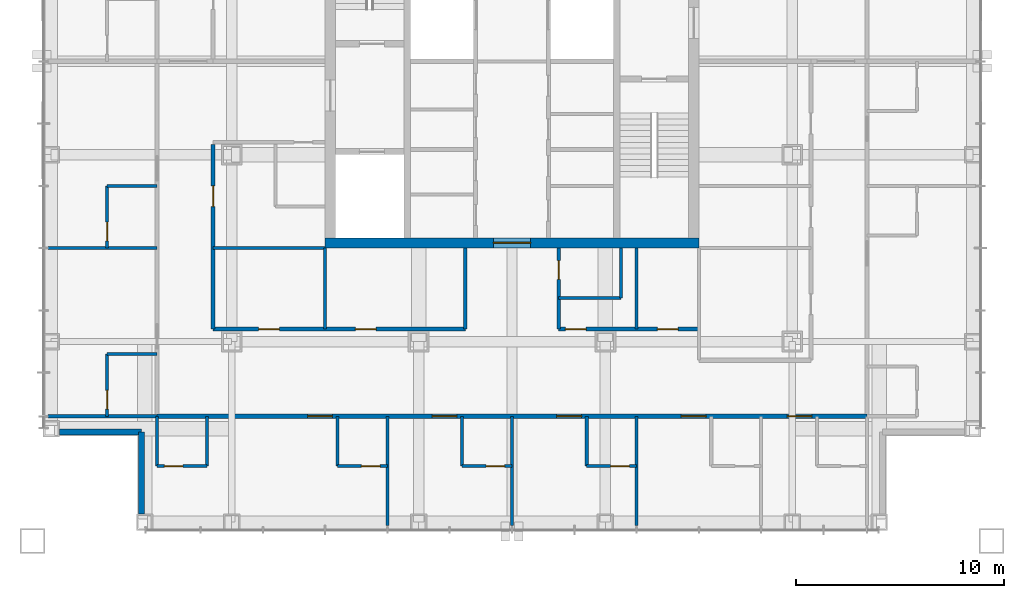
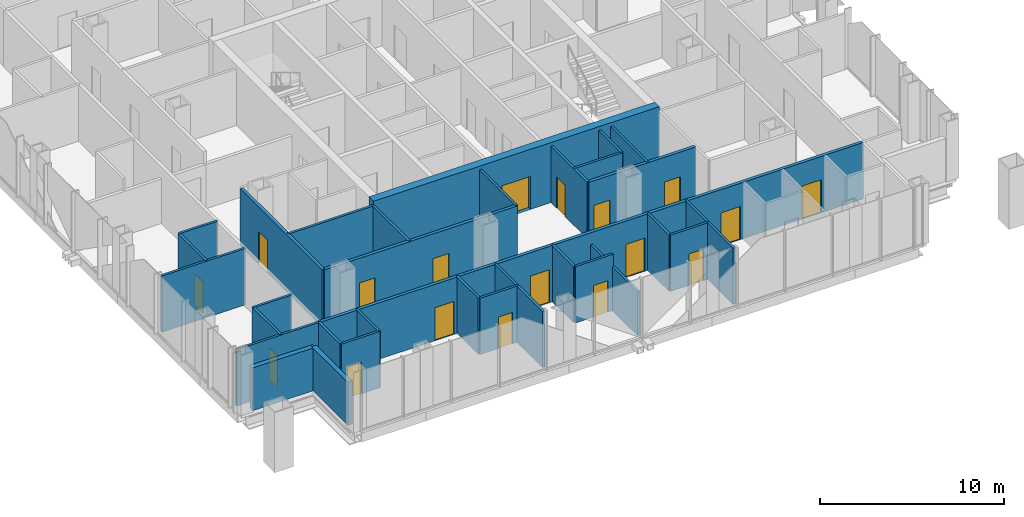
# One storey, part 12 of 17: 32 walls, 18 doors, 18 openings.
"""IFC4 building model written with IfcOpenShell, lengths in metres."""

from ifc_helpers import new_model, si_unit, direction, frame, frame_2d, origin, place, context, subcontext, project, spatial, rectangle, extrude, material, layer, layer_set, type_object, element, fill, save


model = new_model("IFC4")

# Units and contexts
model_context = context("Model", 3, precision=1e-05, world=origin(), true_north=direction((0.0, 1.0)))
body_context = subcontext(model_context, "Body", "Model", "MODEL_VIEW")
ifc_project = project(units=[si_unit("LENGTHUNIT", "METRE"), si_unit("AREAUNIT", "SQUARE_METRE"), si_unit("VOLUMEUNIT", "CUBIC_METRE"), si_unit("PLANEANGLEUNIT", "RADIAN"), si_unit("MASSUNIT", "GRAM", prefix="KILO")], contexts=[model_context])

# Site, building, storey
site_placement = place(None, origin())
site = spatial("IfcSite", under=ifc_project, at=site_placement, CompositionType="ELEMENT")
building_placement = place(site_placement, origin())
building = spatial("IfcBuilding", under=site, at=building_placement, Name="Malebo Sky Hospital", CompositionType="ELEMENT")
storey_placement = place(building_placement, frame((0.0, 0.0, 193.0)))
storey = spatial("IfcBuildingStorey", under=building, at=storey_placement, Name="L46", CompositionType="ELEMENT", Elevation=193.0)

# Wall, opening, door
ifc_material_1 = material(Name="Concrete C80/95", Category="concrete")
ifc_layer_1 = layer(ifc_material_1, 0.5)
ifc_layer_set_1 = layer_set([ifc_layer_1], Name="CORE WALL 500")
wall_type_1 = type_object("IfcWallType", Name="CORE WALL 500", PredefinedType="SHEAR", material=ifc_layer_set_1)
wall_1_placement = place(storey_placement, frame((51.0, 53.25, 0.0), z_axis=(0.0, 0.0, 1.0), x_axis=(1.0, 0.0, 0.0)))
wall_1 = element("IfcWall", 1, at=wall_1_placement, inside=storey, type_object=wall_type_1, Name="Core wall S L46", PredefinedType="SHEAR", context=body_context, shape_type="SweptSolid", body=[
    extrude(rectangle(XDim=18.0, YDim=0.5, at=frame_2d((9.0, 0.0))), origin(), (0.0, 0.0, 1.0), 4.0),
])
opening_1_placement = place(wall_1_placement, frame((8.10009765625, 0.0, 0.0)))
opening_1 = element("IfcOpeningElement", 2, at=opening_1_placement, cuts=wall_1, Name="Opening D06", PredefinedType="OPENING", context=body_context, shape_type="SweptSolid", body=[
    extrude(rectangle(XDim=1.800048828125, YDim=2.199951171875, at=frame_2d((0.89990234375, 1.10009765625))), frame((0.0, 0.260009765625, 0.0), z_axis=(0.0, -1.0, 0.0), x_axis=(1.0, 0.0, 0.0)), (0.0, 0.0, 1.0), 0.52001953125),
])
ifc_material_2 = material(Name="Hardwood-faced door leaf in steel frame", Category="steel")
door_type_1 = type_object("IfcDoorType", Name="LOBBY DOOR PAIR 1800", OperationType="DOUBLE_DOOR_SINGLE_SWING", PredefinedType="DOOR", material=ifc_material_2)
door_1_placement = place(opening_1_placement, origin())
door_1 = element("IfcDoor", 3, at=door_1_placement, inside=storey, type_object=door_type_1, Name="Service lobby door south", OperationType="DOUBLE_DOOR_SINGLE_SWING", OverallHeight=2.199951171875, OverallWidth=1.800048828125, PredefinedType="DOOR", context=body_context, shape_type="SweptSolid", body=[
    extrude(rectangle(XDim=1.800048828125, YDim=2.199951171875, at=frame_2d((0.89990234375, 1.10009765625))), frame((0.0, 0.02490234375, 0.0), z_axis=(0.0, -1.0, 0.0), x_axis=(1.0, 0.0, 0.0)), (0.0, 0.0, 1.0), 0.050048828125),
])
fill(opening_1, door_1)

ifc_material_3 = material(Name="Gypsum board on steel studs", Category="steel")
ifc_layer_2 = layer(ifc_material_3, 0.199951171875)
ifc_layer_set_2 = layer_set([ifc_layer_2], Name="CORRIDOR WALL 200")
wall_type_2 = type_object("IfcWallType", Name="CORRIDOR WALL 200", PredefinedType="PARTITIONING", material=ifc_layer_set_2)
wall_2_placement = place(storey_placement, frame((45.60009765625, 49.10009765625, 0.0), z_axis=(0.0, 0.0, 1.0), x_axis=(0.0, 1.0, 0.0)))
wall_2 = element("IfcWall", 4, at=wall_2_placement, inside=storey, type_object=wall_type_2, Name="Corridor Wall 200 WCI1", PredefinedType="PARTITIONING", context=body_context, shape_type="SweptSolid", body=[
    extrude(rectangle(XDim=8.89990234375, YDim=0.199951171875, at=frame_2d((4.449951171875, 0.0))), origin(), (0.0, 0.0, 1.0), 3.75),
])
opening_2_placement = place(wall_2_placement, frame((5.89990234375, 0.0, 0.0)))
opening_2 = element("IfcOpeningElement", 5, at=opening_2_placement, cuts=wall_2, Name="Opening D03", PredefinedType="OPENING", context=body_context, shape_type="SweptSolid", body=[
    extrude(rectangle(XDim=1.0, YDim=2.10009765625, at=frame_2d((0.5, 1.050048828125))), frame((0.0, 0.10986328125, 0.0), z_axis=(0.0, -1.0, 0.0), x_axis=(1.0, 0.0, 0.0)), (0.0, 0.0, 1.0), 0.219970703125),
])
door_type_2 = type_object("IfcDoorType", Name="ROOM DOOR 1000", OperationType="SINGLE_SWING_LEFT", PredefinedType="DOOR", material=ifc_material_2)
door_2_placement = place(opening_2_placement, origin())
door_2 = element("IfcDoor", 6, at=door_2_placement, inside=storey, type_object=door_type_2, Name="Dirty utility room door", OperationType="SINGLE_SWING_LEFT", OverallHeight=2.10009765625, OverallWidth=1.0, PredefinedType="DOOR", context=body_context, shape_type="SweptSolid", body=[
    extrude(rectangle(XDim=1.0, YDim=2.10009765625, at=frame_2d((0.5, 1.050048828125))), frame((0.0, 0.02490234375, 0.0), z_axis=(0.0, -1.0, 0.0), x_axis=(1.0, 0.0, 0.0)), (0.0, 0.0, 1.0), 0.050048828125),
])
fill(opening_2, door_2)

# Wall, openings, doors
wall_3_placement = place(storey_placement, frame((77.10009765625, 44.89990234375, 0.0), z_axis=(0.0, 0.0, 1.0), x_axis=(-1.0, 0.0, 0.0)))
wall_3 = element("IfcWall", 7, at=wall_3_placement, inside=storey, type_object=wall_type_2, Name="Corridor Wall 200 SCO", PredefinedType="PARTITIONING", context=body_context, shape_type="SweptSolid", body=[
    extrude(rectangle(XDim=34.2001953125, YDim=0.199951171875, at=frame_2d((17.10009765625, 0.0))), origin(), (0.0, 0.0, 1.0), 3.75),
])
opening_3_placement = place(wall_3_placement, frame((2.64990234375, 0.0, 0.0)))
opening_3 = element("IfcOpeningElement", 8, at=opening_3_placement, cuts=wall_3, Name="Opening D01", PredefinedType="OPENING", context=body_context, shape_type="SweptSolid", body=[
    extrude(rectangle(XDim=1.199951171875, YDim=2.199951171875, at=frame_2d((0.60009765625, 1.10009765625))), frame((0.0, 0.10986328125, 0.0), z_axis=(0.0, -1.0, 0.0), x_axis=(1.0, 0.0, 0.0)), (0.0, 0.0, 1.0), 0.219970703125),
])
opening_4_placement = place(wall_3_placement, frame((7.75, 0.0, 0.0)))
opening_4 = element("IfcOpeningElement", 9, at=opening_4_placement, cuts=wall_3, Name="Opening D01", PredefinedType="OPENING", context=body_context, shape_type="SweptSolid", body=[
    extrude(rectangle(XDim=1.199951171875, YDim=2.199951171875, at=frame_2d((0.60009765625, 1.10009765625))), frame((0.0, 0.10986328125, 0.0), z_axis=(0.0, -1.0, 0.0), x_axis=(1.0, 0.0, 0.0)), (0.0, 0.0, 1.0), 0.219970703125),
])
opening_5_placement = place(wall_3_placement, frame((13.75, 0.0, 0.0)))
opening_5 = element("IfcOpeningElement", 10, at=opening_5_placement, cuts=wall_3, Name="Opening D01", PredefinedType="OPENING", context=body_context, shape_type="SweptSolid", body=[
    extrude(rectangle(XDim=1.199951171875, YDim=2.199951171875, at=frame_2d((0.60009765625, 1.10009765625))), frame((0.0, 0.10986328125, 0.0), z_axis=(0.0, -1.0, 0.0), x_axis=(1.0, 0.0, 0.0)), (0.0, 0.0, 1.0), 0.219970703125),
])
opening_6_placement = place(wall_3_placement, frame((19.75, 0.0, 0.0)))
opening_6 = element("IfcOpeningElement", 11, at=opening_6_placement, cuts=wall_3, Name="Opening D01", PredefinedType="OPENING", context=body_context, shape_type="SweptSolid", body=[
    extrude(rectangle(XDim=1.199951171875, YDim=2.199951171875, at=frame_2d((0.60009765625, 1.10009765625))), frame((0.0, 0.10986328125, 0.0), z_axis=(0.0, -1.0, 0.0), x_axis=(1.0, 0.0, 0.0)), (0.0, 0.0, 1.0), 0.219970703125),
])
opening_7_placement = place(wall_3_placement, frame((25.75, 0.0, 0.0)))
opening_7 = element("IfcOpeningElement", 12, at=opening_7_placement, cuts=wall_3, Name="Opening D01", PredefinedType="OPENING", context=body_context, shape_type="SweptSolid", body=[
    extrude(rectangle(XDim=1.199951171875, YDim=2.199951171875, at=frame_2d((0.60009765625, 1.10009765625))), frame((0.0, 0.10986328125, 0.0), z_axis=(0.0, -1.0, 0.0), x_axis=(1.0, 0.0, 0.0)), (0.0, 0.0, 1.0), 0.219970703125),
])
door_type_3 = type_object("IfcDoorType", Name="BED DOOR 1200", OperationType="SINGLE_SWING_LEFT", PredefinedType="DOOR", material=ifc_material_2)
door_3_placement = place(opening_3_placement, origin())
door_3 = element("IfcDoor", 13, at=door_3_placement, inside=storey, type_object=door_type_3, Name="Single bed room door", OperationType="SINGLE_SWING_LEFT", OverallHeight=2.199951171875, OverallWidth=1.199951171875, PredefinedType="DOOR", context=body_context, shape_type="SweptSolid", body=[
    extrude(rectangle(XDim=1.199951171875, YDim=2.199951171875, at=frame_2d((0.60009765625, 1.10009765625))), frame((0.0, 0.02490234375, 0.0), z_axis=(0.0, -1.0, 0.0), x_axis=(1.0, 0.0, 0.0)), (0.0, 0.0, 1.0), 0.050048828125),
])
fill(opening_3, door_3)
door_4_placement = place(opening_4_placement, origin())
door_4 = element("IfcDoor", 14, at=door_4_placement, inside=storey, type_object=door_type_3, Name="Single bed room door", OperationType="SINGLE_SWING_LEFT", OverallHeight=2.199951171875, OverallWidth=1.199951171875, PredefinedType="DOOR", context=body_context, shape_type="SweptSolid", body=[
    extrude(rectangle(XDim=1.199951171875, YDim=2.199951171875, at=frame_2d((0.60009765625, 1.10009765625))), frame((0.0, 0.02490234375, 0.0), z_axis=(0.0, -1.0, 0.0), x_axis=(1.0, 0.0, 0.0)), (0.0, 0.0, 1.0), 0.050048828125),
])
fill(opening_4, door_4)
door_5_placement = place(opening_5_placement, origin())
door_5 = element("IfcDoor", 15, at=door_5_placement, inside=storey, type_object=door_type_3, Name="Single bed room door", OperationType="SINGLE_SWING_LEFT", OverallHeight=2.199951171875, OverallWidth=1.199951171875, PredefinedType="DOOR", context=body_context, shape_type="SweptSolid", body=[
    extrude(rectangle(XDim=1.199951171875, YDim=2.199951171875, at=frame_2d((0.60009765625, 1.10009765625))), frame((0.0, 0.02490234375, 0.0), z_axis=(0.0, -1.0, 0.0), x_axis=(1.0, 0.0, 0.0)), (0.0, 0.0, 1.0), 0.050048828125),
])
fill(opening_5, door_5)
door_6_placement = place(opening_6_placement, origin())
door_6 = element("IfcDoor", 16, at=door_6_placement, inside=storey, type_object=door_type_3, Name="Single bed room door", OperationType="SINGLE_SWING_LEFT", OverallHeight=2.199951171875, OverallWidth=1.199951171875, PredefinedType="DOOR", context=body_context, shape_type="SweptSolid", body=[
    extrude(rectangle(XDim=1.199951171875, YDim=2.199951171875, at=frame_2d((0.60009765625, 1.10009765625))), frame((0.0, 0.02490234375, 0.0), z_axis=(0.0, -1.0, 0.0), x_axis=(1.0, 0.0, 0.0)), (0.0, 0.0, 1.0), 0.050048828125),
])
fill(opening_6, door_6)
door_7_placement = place(opening_7_placement, origin())
door_7 = element("IfcDoor", 17, at=door_7_placement, inside=storey, type_object=door_type_3, Name="Four-bed bay door", OperationType="SINGLE_SWING_LEFT", OverallHeight=2.199951171875, OverallWidth=1.199951171875, PredefinedType="DOOR", context=body_context, shape_type="SweptSolid", body=[
    extrude(rectangle(XDim=1.199951171875, YDim=2.199951171875, at=frame_2d((0.60009765625, 1.10009765625))), frame((0.0, 0.02490234375, 0.0), z_axis=(0.0, -1.0, 0.0), x_axis=(1.0, 0.0, 0.0)), (0.0, 0.0, 1.0), 0.050048828125),
])
fill(opening_7, door_7)

wall_4_placement = place(storey_placement, frame((69.0, 49.10009765625, 0.0), z_axis=(0.0, 0.0, 1.0), x_axis=(-1.0, 0.0, 0.0)))
wall_4 = element("IfcWall", 18, at=wall_4_placement, inside=storey, type_object=wall_type_2, Name="Corridor Wall 200 SCI1", PredefinedType="PARTITIONING", context=body_context, shape_type="SweptSolid", body=[
    extrude(rectangle(XDim=6.75, YDim=0.199951171875, at=frame_2d((3.375, 0.0))), origin(), (0.0, 0.0, 1.0), 3.75),
])
opening_8_placement = place(wall_4_placement, frame((1.0, 0.0, 0.0)))
opening_8 = element("IfcOpeningElement", 19, at=opening_8_placement, cuts=wall_4, Name="Opening D03", PredefinedType="OPENING", context=body_context, shape_type="SweptSolid", body=[
    extrude(rectangle(XDim=1.0, YDim=2.10009765625, at=frame_2d((0.5, 1.050048828125))), frame((0.0, 0.10986328125, 0.0), z_axis=(0.0, -1.0, 0.0), x_axis=(1.0, 0.0, 0.0)), (0.0, 0.0, 1.0), 0.219970703125),
])
opening_9_placement = place(wall_4_placement, frame((5.425048828125, 0.0, 0.0)))
opening_9 = element("IfcOpeningElement", 20, at=opening_9_placement, cuts=wall_4, Name="Opening D03", PredefinedType="OPENING", context=body_context, shape_type="SweptSolid", body=[
    extrude(rectangle(XDim=1.0, YDim=2.10009765625, at=frame_2d((0.5, 1.050048828125))), frame((0.0, 0.10986328125, 0.0), z_axis=(0.0, -1.0, 0.0), x_axis=(1.0, 0.0, 0.0)), (0.0, 0.0, 1.0), 0.219970703125),
])
door_8_placement = place(opening_8_placement, origin())
door_8 = element("IfcDoor", 21, at=door_8_placement, inside=storey, type_object=door_type_2, Name="Equipment store door", OperationType="SINGLE_SWING_LEFT", OverallHeight=2.10009765625, OverallWidth=1.0, PredefinedType="DOOR", context=body_context, shape_type="SweptSolid", body=[
    extrude(rectangle(XDim=1.0, YDim=2.10009765625, at=frame_2d((0.5, 1.050048828125))), frame((0.0, 0.02490234375, 0.0), z_axis=(0.0, -1.0, 0.0), x_axis=(1.0, 0.0, 0.0)), (0.0, 0.0, 1.0), 0.050048828125),
])
fill(opening_8, door_8)
door_9_placement = place(opening_9_placement, origin())
door_9 = element("IfcDoor", 22, at=door_9_placement, inside=storey, type_object=door_type_2, Name="Linen store door", OperationType="SINGLE_SWING_RIGHT", OverallHeight=2.10009765625, OverallWidth=1.0, PredefinedType="DOOR", context=body_context, shape_type="SweptSolid", body=[
    extrude(rectangle(XDim=1.0, YDim=2.10009765625, at=frame_2d((0.5, 1.050048828125))), frame((0.0, 0.02490234375, 0.0), z_axis=(0.0, -1.0, 0.0), x_axis=(1.0, 0.0, 0.0)), (0.0, 0.0, 1.0), 0.050048828125),
])
fill(opening_9, door_9)

wall_5_placement = place(storey_placement, frame((57.75, 49.10009765625, 0.0), z_axis=(0.0, 0.0, 1.0), x_axis=(-1.0, 0.0, 0.0)))
wall_5 = element("IfcWall", 23, at=wall_5_placement, inside=storey, type_object=wall_type_2, Name="Corridor Wall 200 SCI2", PredefinedType="PARTITIONING", context=body_context, shape_type="SweptSolid", body=[
    extrude(rectangle(XDim=12.14990234375, YDim=0.199951171875, at=frame_2d((6.074951171875, 0.0))), origin(), (0.0, 0.0, 1.0), 3.75),
])
opening_10_placement = place(wall_5_placement, frame((4.300048828125, 0.0, 0.0)))
opening_10 = element("IfcOpeningElement", 24, at=opening_10_placement, cuts=wall_5, Name="Opening D03", PredefinedType="OPENING", context=body_context, shape_type="SweptSolid", body=[
    extrude(rectangle(XDim=1.0, YDim=2.10009765625, at=frame_2d((0.5, 1.050048828125))), frame((0.0, 0.10986328125, 0.0), z_axis=(0.0, -1.0, 0.0), x_axis=(1.0, 0.0, 0.0)), (0.0, 0.0, 1.0), 0.219970703125),
])
opening_11_placement = place(wall_5_placement, frame((8.949951171875, 0.0, 0.0)))
opening_11 = element("IfcOpeningElement", 25, at=opening_11_placement, cuts=wall_5, Name="Opening D03", PredefinedType="OPENING", context=body_context, shape_type="SweptSolid", body=[
    extrude(rectangle(XDim=1.0, YDim=2.10009765625, at=frame_2d((0.5, 1.050048828125))), frame((0.0, 0.10986328125, 0.0), z_axis=(0.0, -1.0, 0.0), x_axis=(1.0, 0.0, 0.0)), (0.0, 0.0, 1.0), 0.219970703125),
])
door_10_placement = place(opening_10_placement, origin())
door_10 = element("IfcDoor", 26, at=door_10_placement, inside=storey, type_object=door_type_2, Name="Nurse station door", OperationType="SINGLE_SWING_RIGHT", OverallHeight=2.10009765625, OverallWidth=1.0, PredefinedType="DOOR", context=body_context, shape_type="SweptSolid", body=[
    extrude(rectangle(XDim=1.0, YDim=2.10009765625, at=frame_2d((0.5, 1.050048828125))), frame((0.0, 0.02490234375, 0.0), z_axis=(0.0, -1.0, 0.0), x_axis=(1.0, 0.0, 0.0)), (0.0, 0.0, 1.0), 0.050048828125),
])
fill(opening_10, door_10)
door_11_placement = place(opening_11_placement, origin())
door_11 = element("IfcDoor", 27, at=door_11_placement, inside=storey, type_object=door_type_2, Name="Interview room door", OperationType="SINGLE_SWING_RIGHT", OverallHeight=2.10009765625, OverallWidth=1.0, PredefinedType="DOOR", context=body_context, shape_type="SweptSolid", body=[
    extrude(rectangle(XDim=1.0, YDim=2.10009765625, at=frame_2d((0.5, 1.050048828125))), frame((0.0, 0.02490234375, 0.0), z_axis=(0.0, -1.0, 0.0), x_axis=(1.0, 0.0, 0.0)), (0.0, 0.0, 1.0), 0.050048828125),
])
fill(opening_11, door_11)

# Walls
ifc_material_4 = material(Name="Anodised aluminium rainscreen on steel framing", Category="steel")
ifc_layer_3 = layer(ifc_material_4, 0.300048828125)
ifc_layer_set_3 = layer_set([ifc_layer_3], Name="NOTCH RAINSCREEN WALL 300")
wall_type_3 = type_object("IfcWallType", Name="NOTCH RAINSCREEN WALL 300", PredefinedType="ELEMENTEDWALL", material=ifc_layer_set_3)
for number, where, z_axis, x_axis, name in (
    (28, (42.14990234375, 40.199951171875, 0.0), (0.0, 0.0, 1.0), (0.0, 1.0, 0.0), "Notch rainscreen wall S1 L46"),
    (29, (42.14990234375, 44.14990234375, 0.0), (0.0, 0.0, 1.0), (-1.0, 0.0, 0.0), "Notch rainscreen wall S2 L46"),
):
    element("IfcWall", number, at=place(storey_placement, frame(where, z_axis=z_axis, x_axis=x_axis)), inside=storey, type_object=wall_type_3, Name=name, PredefinedType="ELEMENTEDWALL", context=body_context, shape_type="SweptSolid", body=[
        extrude(rectangle(XDim=3.949951171875, YDim=0.300048828125, at=frame_2d((1.97509765625, 0.0))), origin(), (0.0, 0.0, 1.0), 2.85009765625),
    ])
ifc_layer_4 = layer(ifc_material_3, 0.14990234375)
ifc_layer_set_4 = layer_set([ifc_layer_4], Name="PARTITION 150")
wall_type_4 = type_object("IfcWallType", Name="PARTITION 150", PredefinedType="PARTITIONING", material=ifc_layer_set_4)
for number, where, z_axis, x_axis, name in (
    (30, (42.89990234375, 53.0, 0.0), (0.0, 0.0, 1.0), (-1.0, 0.0, 0.0), "Partition 150 WP-9.0"),
    (31, (42.89990234375, 44.89990234375, 0.0), (0.0, 0.0, 1.0), (-1.0, 0.0, 0.0), "Partition 150 WP0"),
):
    element("IfcWall", number, at=place(storey_placement, frame(where, z_axis=z_axis, x_axis=x_axis)), inside=storey, type_object=wall_type_4, Name=name, PredefinedType="PARTITIONING", context=body_context, shape_type="SweptSolid", body=[
        extrude(rectangle(XDim=5.25, YDim=0.14990234375, at=frame_2d((2.625, 0.0))), origin(), (0.0, 0.0, 1.0), 3.75),
    ])

# Wall, opening, door
wall_6_placement = place(storey_placement, frame((40.5, 44.89990234375, 0.0), z_axis=(0.0, 0.0, 1.0), x_axis=(0.0, 1.0, 0.0)))
wall_6 = element("IfcWall", 32, at=wall_6_placement, inside=storey, type_object=wall_type_4, Name="Partition 150 WE0F", PredefinedType="PARTITIONING", context=body_context, shape_type="SweptSolid", body=[
    extrude(rectangle(XDim=3.0, YDim=0.14990234375, at=frame_2d((1.5, 0.0))), origin(), (0.0, 0.0, 1.0), 3.75),
])
opening_12_placement = place(wall_6_placement, frame((0.35009765625, 0.0, 0.0)))
opening_12 = element("IfcOpeningElement", 33, at=opening_12_placement, cuts=wall_6, Name="Opening D02", PredefinedType="OPENING", context=body_context, shape_type="SweptSolid", body=[
    extrude(rectangle(XDim=0.89990234375, YDim=2.10009765625, at=frame_2d((0.449951171875, 1.050048828125))), frame((0.0, 0.0849609375, 0.0), z_axis=(0.0, -1.0, 0.0), x_axis=(1.0, 0.0, 0.0)), (0.0, 0.0, 1.0), 0.169921875),
])
door_type_4 = type_object("IfcDoorType", Name="EN-SUITE DOOR 900", OperationType="SINGLE_SWING_LEFT", PredefinedType="DOOR", material=ifc_material_2)
door_12_placement = place(opening_12_placement, origin())
door_12 = element("IfcDoor", 34, at=door_12_placement, inside=storey, type_object=door_type_4, Name="En-suite door", OperationType="SINGLE_SWING_LEFT", OverallHeight=2.10009765625, OverallWidth=0.89990234375, PredefinedType="DOOR", context=body_context, shape_type="SweptSolid", body=[
    extrude(rectangle(XDim=0.89990234375, YDim=2.10009765625, at=frame_2d((0.449951171875, 1.050048828125))), frame((0.0, 0.02490234375, 0.0), z_axis=(0.0, -1.0, 0.0), x_axis=(1.0, 0.0, 0.0)), (0.0, 0.0, 1.0), 0.050048828125),
])
fill(opening_12, door_12)

# Wall
wall_7_placement = place(storey_placement, frame((42.89990234375, 47.89990234375, 0.0), z_axis=(0.0, 0.0, 1.0), x_axis=(-1.0, 0.0, 0.0)))
element("IfcWall", 35, at=wall_7_placement, inside=storey, type_object=wall_type_4, Name="Partition 150 WE0S", PredefinedType="PARTITIONING", context=body_context, shape_type="SweptSolid", body=[
    extrude(rectangle(XDim=2.39990234375, YDim=0.14990234375, at=frame_2d((1.199951171875, 0.0))), origin(), (0.0, 0.0, 1.0), 3.75),
])

# Wall, opening, door
wall_8_placement = place(storey_placement, frame((40.5, 53.0, 0.0), z_axis=(0.0, 0.0, 1.0), x_axis=(0.0, 1.0, 0.0)))
wall_8 = element("IfcWall", 36, at=wall_8_placement, inside=storey, type_object=wall_type_4, Name="Partition 150 WE1F", PredefinedType="PARTITIONING", context=body_context, shape_type="SweptSolid", body=[
    extrude(rectangle(XDim=3.0, YDim=0.14990234375, at=frame_2d((1.5, 0.0))), origin(), (0.0, 0.0, 1.0), 3.75),
])
opening_13_placement = place(wall_8_placement, frame((0.35009765625, 0.0, 0.0)))
opening_13 = element("IfcOpeningElement", 37, at=opening_13_placement, cuts=wall_8, Name="Opening D02", PredefinedType="OPENING", context=body_context, shape_type="SweptSolid", body=[
    extrude(rectangle(XDim=0.89990234375, YDim=2.10009765625, at=frame_2d((0.449951171875, 1.050048828125))), frame((0.0, 0.0849609375, 0.0), z_axis=(0.0, -1.0, 0.0), x_axis=(1.0, 0.0, 0.0)), (0.0, 0.0, 1.0), 0.169921875),
])
door_13_placement = place(opening_13_placement, origin())
door_13 = element("IfcDoor", 38, at=door_13_placement, inside=storey, type_object=door_type_4, Name="En-suite door", OperationType="SINGLE_SWING_LEFT", OverallHeight=2.10009765625, OverallWidth=0.89990234375, PredefinedType="DOOR", context=body_context, shape_type="SweptSolid", body=[
    extrude(rectangle(XDim=0.89990234375, YDim=2.10009765625, at=frame_2d((0.449951171875, 1.050048828125))), frame((0.0, 0.02490234375, 0.0), z_axis=(0.0, -1.0, 0.0), x_axis=(1.0, 0.0, 0.0)), (0.0, 0.0, 1.0), 0.050048828125),
])
fill(opening_13, door_13)

# Walls
wall_9_placement = place(storey_placement, frame((42.89990234375, 56.0, 0.0), z_axis=(0.0, 0.0, 1.0), x_axis=(-1.0, 0.0, 0.0)))
element("IfcWall", 39, at=wall_9_placement, inside=storey, type_object=wall_type_4, Name="Partition 150 WE1S", PredefinedType="PARTITIONING", context=body_context, shape_type="SweptSolid", body=[
    extrude(rectangle(XDim=2.39990234375, YDim=0.14990234375, at=frame_2d((1.199951171875, 0.0))), origin(), (0.0, 0.0, 1.0), 3.75),
])
wall_10_placement = place(storey_placement, frame((51.0, 53.0, 0.0), z_axis=(0.0, 0.0, 1.0), x_axis=(-1.0, 0.0, 0.0)))
element("IfcWall", 40, at=wall_10_placement, inside=storey, type_object=wall_type_4, Name="Partition 150 WSP0", PredefinedType="PARTITIONING", context=body_context, shape_type="SweptSolid", body=[
    extrude(rectangle(XDim=5.39990234375, YDim=0.14990234375, at=frame_2d((2.699951171875, 0.0))), origin(), (0.0, 0.0, 1.0), 3.75),
])
wall_11_placement = place(storey_placement, frame((66.0, 44.89990234375, 0.0), z_axis=(0.0, 0.0, 1.0), x_axis=(0.0, -1.0, 0.0)))
element("IfcWall", 41, at=wall_11_placement, inside=storey, type_object=wall_type_4, Name="Partition 150 SP-6.0", PredefinedType="PARTITIONING", context=body_context, shape_type="SweptSolid", body=[
    extrude(rectangle(XDim=5.25, YDim=0.14990234375, at=frame_2d((2.625, 0.0))), origin(), (0.0, 0.0, 1.0), 3.75),
])
wall_12_placement = place(storey_placement, frame((60.0, 44.89990234375, 0.0), z_axis=(0.0, 0.0, 1.0), x_axis=(0.0, -1.0, 0.0)))
element("IfcWall", 42, at=wall_12_placement, inside=storey, type_object=wall_type_4, Name="Partition 150 SP+0.0", PredefinedType="PARTITIONING", context=body_context, shape_type="SweptSolid", body=[
    extrude(rectangle(XDim=5.25, YDim=0.14990234375, at=frame_2d((2.625, 0.0))), origin(), (0.0, 0.0, 1.0), 2.949951171875),
])
wall_13_placement = place(storey_placement, frame((54.0, 44.89990234375, 0.0), z_axis=(0.0, 0.0, 1.0), x_axis=(0.0, -1.0, 0.0)))
element("IfcWall", 43, at=wall_13_placement, inside=storey, type_object=wall_type_4, Name="Partition 150 SP+6.0", PredefinedType="PARTITIONING", context=body_context, shape_type="SweptSolid", body=[
    extrude(rectangle(XDim=5.25, YDim=0.14990234375, at=frame_2d((2.625, 0.0))), origin(), (0.0, 0.0, 1.0), 3.75),
])

# Wall, opening, door
wall_14_placement = place(storey_placement, frame((66.0, 42.5, 0.0), z_axis=(0.0, 0.0, 1.0), x_axis=(-1.0, 0.0, 0.0)))
wall_14 = element("IfcWall", 44, at=wall_14_placement, inside=storey, type_object=wall_type_4, Name="Partition 150 SE2F", PredefinedType="PARTITIONING", context=body_context, shape_type="SweptSolid", body=[
    extrude(rectangle(XDim=2.39990234375, YDim=0.14990234375, at=frame_2d((1.199951171875, 0.0))), origin(), (0.0, 0.0, 1.0), 3.75),
])
opening_14_placement = place(wall_14_placement, frame((0.35009765625, 0.0, 0.0)))
opening_14 = element("IfcOpeningElement", 45, at=opening_14_placement, cuts=wall_14, Name="Opening D02", PredefinedType="OPENING", context=body_context, shape_type="SweptSolid", body=[
    extrude(rectangle(XDim=0.89990234375, YDim=2.10009765625, at=frame_2d((0.449951171875, 1.050048828125))), frame((0.0, 0.0849609375, 0.0), z_axis=(0.0, -1.0, 0.0), x_axis=(1.0, 0.0, 0.0)), (0.0, 0.0, 1.0), 0.169921875),
])
door_14_placement = place(opening_14_placement, origin())
door_14 = element("IfcDoor", 46, at=door_14_placement, inside=storey, type_object=door_type_4, Name="En-suite door", OperationType="SINGLE_SWING_LEFT", OverallHeight=2.10009765625, OverallWidth=0.89990234375, PredefinedType="DOOR", context=body_context, shape_type="SweptSolid", body=[
    extrude(rectangle(XDim=0.89990234375, YDim=2.10009765625, at=frame_2d((0.449951171875, 1.050048828125))), frame((0.0, 0.02490234375, 0.0), z_axis=(0.0, -1.0, 0.0), x_axis=(1.0, 0.0, 0.0)), (0.0, 0.0, 1.0), 0.050048828125),
])
fill(opening_14, door_14)

# Wall
wall_15_placement = place(storey_placement, frame((63.60009765625, 44.89990234375, 0.0), z_axis=(0.0, 0.0, 1.0), x_axis=(0.0, -1.0, 0.0)))
element("IfcWall", 47, at=wall_15_placement, inside=storey, type_object=wall_type_4, Name="Partition 150 SE2S", PredefinedType="PARTITIONING", context=body_context, shape_type="SweptSolid", body=[
    extrude(rectangle(XDim=2.39990234375, YDim=0.14990234375, at=frame_2d((1.199951171875, 0.0))), origin(), (0.0, 0.0, 1.0), 3.75),
])

# Wall, opening, door
wall_16_placement = place(storey_placement, frame((60.0, 42.5, 0.0), z_axis=(0.0, 0.0, 1.0), x_axis=(-1.0, 0.0, 0.0)))
wall_16 = element("IfcWall", 48, at=wall_16_placement, inside=storey, type_object=wall_type_4, Name="Partition 150 SE3F", PredefinedType="PARTITIONING", context=body_context, shape_type="SweptSolid", body=[
    extrude(rectangle(XDim=2.39990234375, YDim=0.14990234375, at=frame_2d((1.199951171875, 0.0))), origin(), (0.0, 0.0, 1.0), 3.75),
])
opening_15_placement = place(wall_16_placement, frame((0.35009765625, 0.0, 0.0)))
opening_15 = element("IfcOpeningElement", 49, at=opening_15_placement, cuts=wall_16, Name="Opening D02", PredefinedType="OPENING", context=body_context, shape_type="SweptSolid", body=[
    extrude(rectangle(XDim=0.89990234375, YDim=2.10009765625, at=frame_2d((0.449951171875, 1.050048828125))), frame((0.0, 0.0849609375, 0.0), z_axis=(0.0, -1.0, 0.0), x_axis=(1.0, 0.0, 0.0)), (0.0, 0.0, 1.0), 0.169921875),
])
door_15_placement = place(opening_15_placement, origin())
door_15 = element("IfcDoor", 50, at=door_15_placement, inside=storey, type_object=door_type_4, Name="En-suite door", OperationType="SINGLE_SWING_LEFT", OverallHeight=2.10009765625, OverallWidth=0.89990234375, PredefinedType="DOOR", context=body_context, shape_type="SweptSolid", body=[
    extrude(rectangle(XDim=0.89990234375, YDim=2.10009765625, at=frame_2d((0.449951171875, 1.050048828125))), frame((0.0, 0.02490234375, 0.0), z_axis=(0.0, -1.0, 0.0), x_axis=(1.0, 0.0, 0.0)), (0.0, 0.0, 1.0), 0.050048828125),
])
fill(opening_15, door_15)

# Wall
wall_17_placement = place(storey_placement, frame((57.60009765625, 44.89990234375, 0.0), z_axis=(0.0, 0.0, 1.0), x_axis=(0.0, -1.0, 0.0)))
element("IfcWall", 51, at=wall_17_placement, inside=storey, type_object=wall_type_4, Name="Partition 150 SE3S", PredefinedType="PARTITIONING", context=body_context, shape_type="SweptSolid", body=[
    extrude(rectangle(XDim=2.39990234375, YDim=0.14990234375, at=frame_2d((1.199951171875, 0.0))), origin(), (0.0, 0.0, 1.0), 3.75),
])

# Wall, opening, door
wall_18_placement = place(storey_placement, frame((54.0, 42.5, 0.0), z_axis=(0.0, 0.0, 1.0), x_axis=(-1.0, 0.0, 0.0)))
wall_18 = element("IfcWall", 52, at=wall_18_placement, inside=storey, type_object=wall_type_4, Name="Partition 150 SE4F", PredefinedType="PARTITIONING", context=body_context, shape_type="SweptSolid", body=[
    extrude(rectangle(XDim=2.39990234375, YDim=0.14990234375, at=frame_2d((1.199951171875, 0.0))), origin(), (0.0, 0.0, 1.0), 3.75),
])
opening_16_placement = place(wall_18_placement, frame((0.35009765625, 0.0, 0.0)))
opening_16 = element("IfcOpeningElement", 53, at=opening_16_placement, cuts=wall_18, Name="Opening D02", PredefinedType="OPENING", context=body_context, shape_type="SweptSolid", body=[
    extrude(rectangle(XDim=0.89990234375, YDim=2.10009765625, at=frame_2d((0.449951171875, 1.050048828125))), frame((0.0, 0.0849609375, 0.0), z_axis=(0.0, -1.0, 0.0), x_axis=(1.0, 0.0, 0.0)), (0.0, 0.0, 1.0), 0.169921875),
])
door_16_placement = place(opening_16_placement, origin())
door_16 = element("IfcDoor", 54, at=door_16_placement, inside=storey, type_object=door_type_4, Name="En-suite door", OperationType="SINGLE_SWING_LEFT", OverallHeight=2.10009765625, OverallWidth=0.89990234375, PredefinedType="DOOR", context=body_context, shape_type="SweptSolid", body=[
    extrude(rectangle(XDim=0.89990234375, YDim=2.10009765625, at=frame_2d((0.449951171875, 1.050048828125))), frame((0.0, 0.02490234375, 0.0), z_axis=(0.0, -1.0, 0.0), x_axis=(1.0, 0.0, 0.0)), (0.0, 0.0, 1.0), 0.050048828125),
])
fill(opening_16, door_16)

# Wall
wall_19_placement = place(storey_placement, frame((51.60009765625, 44.89990234375, 0.0), z_axis=(0.0, 0.0, 1.0), x_axis=(0.0, -1.0, 0.0)))
element("IfcWall", 55, at=wall_19_placement, inside=storey, type_object=wall_type_4, Name="Partition 150 SE4S", PredefinedType="PARTITIONING", context=body_context, shape_type="SweptSolid", body=[
    extrude(rectangle(XDim=2.39990234375, YDim=0.14990234375, at=frame_2d((1.199951171875, 0.0))), origin(), (0.0, 0.0, 1.0), 3.75),
])

# Wall, opening, door
wall_20_placement = place(storey_placement, frame((45.300048828125, 42.5, 0.0), z_axis=(0.0, 0.0, 1.0), x_axis=(-1.0, 0.0, 0.0)))
wall_20 = element("IfcWall", 56, at=wall_20_placement, inside=storey, type_object=wall_type_4, Name="Partition 150 SG4F", PredefinedType="PARTITIONING", context=body_context, shape_type="SweptSolid", body=[
    extrude(rectangle(XDim=2.400146484375, YDim=0.14990234375, at=frame_2d((1.2001953125, 0.0))), origin(), (0.0, 0.0, 1.0), 3.75),
])
opening_17_placement = place(wall_20_placement, frame((1.14990234375, 0.0, 0.0)))
opening_17 = element("IfcOpeningElement", 57, at=opening_17_placement, cuts=wall_20, Name="Opening D02", PredefinedType="OPENING", context=body_context, shape_type="SweptSolid", body=[
    extrude(rectangle(XDim=0.89990234375, YDim=2.10009765625, at=frame_2d((0.449951171875, 1.050048828125))), frame((0.0, 0.0849609375, 0.0), z_axis=(0.0, -1.0, 0.0), x_axis=(1.0, 0.0, 0.0)), (0.0, 0.0, 1.0), 0.169921875),
])
door_17_placement = place(opening_17_placement, origin())
door_17 = element("IfcDoor", 58, at=door_17_placement, inside=storey, type_object=door_type_4, Name="En-suite door", OperationType="SINGLE_SWING_RIGHT", OverallHeight=2.10009765625, OverallWidth=0.89990234375, PredefinedType="DOOR", context=body_context, shape_type="SweptSolid", body=[
    extrude(rectangle(XDim=0.89990234375, YDim=2.10009765625, at=frame_2d((0.449951171875, 1.050048828125))), frame((0.0, 0.02490234375, 0.0), z_axis=(0.0, -1.0, 0.0), x_axis=(1.0, 0.0, 0.0)), (0.0, 0.0, 1.0), 0.050048828125),
])
fill(opening_17, door_17)

# Walls
for number, where, z_axis, x_axis, name in (
    (59, (45.300048828125, 44.89990234375, 0.0), (0.0, 0.0, 1.0), (0.0, -1.0, 0.0), "Partition 150 SG4S"),
    (60, (42.89990234375, 44.89990234375, 0.0), (0.0, 0.0, 1.0), (0.0, -1.0, 0.0), "Partition 150 SEZ"),
):
    element("IfcWall", number, at=place(storey_placement, frame(where, z_axis=z_axis, x_axis=x_axis)), inside=storey, type_object=wall_type_4, Name=name, PredefinedType="PARTITIONING", context=body_context, shape_type="SweptSolid", body=[
        extrude(rectangle(XDim=2.39990234375, YDim=0.14990234375, at=frame_2d((1.199951171875, 0.0))), origin(), (0.0, 0.0, 1.0), 3.75),
    ])

# Wall, opening, door
wall_21_placement = place(storey_placement, frame((62.25, 53.0, 0.0), z_axis=(0.0, 0.0, 1.0), x_axis=(0.0, -1.0, 0.0)))
wall_21 = element("IfcWall", 61, at=wall_21_placement, inside=storey, type_object=wall_type_4, Name="Partition 150 SSPA", PredefinedType="PARTITIONING", context=body_context, shape_type="SweptSolid", body=[
    extrude(rectangle(XDim=3.89990234375, YDim=0.14990234375, at=frame_2d((1.949951171875, 0.0))), origin(), (0.0, 0.0, 1.0), 3.75),
])
opening_18_placement = place(wall_21_placement, frame((0.60009765625, 0.0, 0.0)))
opening_18 = element("IfcOpeningElement", 62, at=opening_18_placement, cuts=wall_21, Name="Opening D04", PredefinedType="OPENING", context=body_context, shape_type="SweptSolid", body=[
    extrude(rectangle(XDim=0.89990234375, YDim=2.10009765625, at=frame_2d((0.449951171875, 1.050048828125))), frame((0.0, 0.0849609375, 0.0), z_axis=(0.0, -1.0, 0.0), x_axis=(1.0, 0.0, 0.0)), (0.0, 0.0, 1.0), 0.169921875),
])
door_type_5 = type_object("IfcDoorType", Name="ROOM DOOR 900", OperationType="SINGLE_SWING_LEFT", PredefinedType="DOOR", material=ifc_material_2)
door_18_placement = place(opening_18_placement, origin())
door_18 = element("IfcDoor", 63, at=door_18_placement, inside=storey, type_object=door_type_5, Name="Visitor WC door", OperationType="SINGLE_SWING_LEFT", OverallHeight=2.10009765625, OverallWidth=0.89990234375, PredefinedType="DOOR", context=body_context, shape_type="SweptSolid", body=[
    extrude(rectangle(XDim=0.89990234375, YDim=2.10009765625, at=frame_2d((0.449951171875, 1.050048828125))), frame((0.0, 0.02490234375, 0.0), z_axis=(0.0, -1.0, 0.0), x_axis=(1.0, 0.0, 0.0)), (0.0, 0.0, 1.0), 0.050048828125),
])
fill(opening_18, door_18)

# Walls
for number, where, z_axis, x_axis, name in (
    (64, (57.75, 53.0, 0.0), (0.0, 0.0, 1.0), (0.0, -1.0, 0.0), "Partition 150 SSPB"),
    (65, (66.0, 53.0, 0.0), (0.0, 0.0, 1.0), (0.0, -1.0, 0.0), "Partition 150 SSP-6.0"),
    (66, (51.0, 53.0, 0.0), (0.0, 0.0, 1.0), (0.0, -1.0, 0.0), "Partition 150 SSP+9.0"),
):
    element("IfcWall", number, at=place(storey_placement, frame(where, z_axis=z_axis, x_axis=x_axis)), inside=storey, type_object=wall_type_4, Name=name, PredefinedType="PARTITIONING", context=body_context, shape_type="SweptSolid", body=[
        extrude(rectangle(XDim=3.89990234375, YDim=0.14990234375, at=frame_2d((1.949951171875, 0.0))), origin(), (0.0, 0.0, 1.0), 3.75),
    ])
wall_22_placement = place(storey_placement, frame((65.25, 50.60009765625, 0.0), z_axis=(0.0, 0.0, 1.0), x_axis=(-1.0, 0.0, 0.0)))
element("IfcWall", 67, at=wall_22_placement, inside=storey, type_object=wall_type_4, Name="Partition 150 SSX1", PredefinedType="PARTITIONING", context=body_context, shape_type="SweptSolid", body=[
    extrude(rectangle(XDim=3.0, YDim=0.14990234375, at=frame_2d((1.5, 0.0))), origin(), (0.0, 0.0, 1.0), 3.75),
])
wall_23_placement = place(storey_placement, frame((65.25, 53.0, 0.0), z_axis=(0.0, 0.0, 1.0), x_axis=(0.0, -1.0, 0.0)))
element("IfcWall", 68, at=wall_23_placement, inside=storey, type_object=wall_type_4, Name="Partition 150 SSY1", PredefinedType="PARTITIONING", context=body_context, shape_type="SweptSolid", body=[
    extrude(rectangle(XDim=2.39990234375, YDim=0.14990234375, at=frame_2d((1.199951171875, 0.0))), origin(), (0.0, 0.0, 1.0), 3.75),
])

save(model, "model.ifc")
